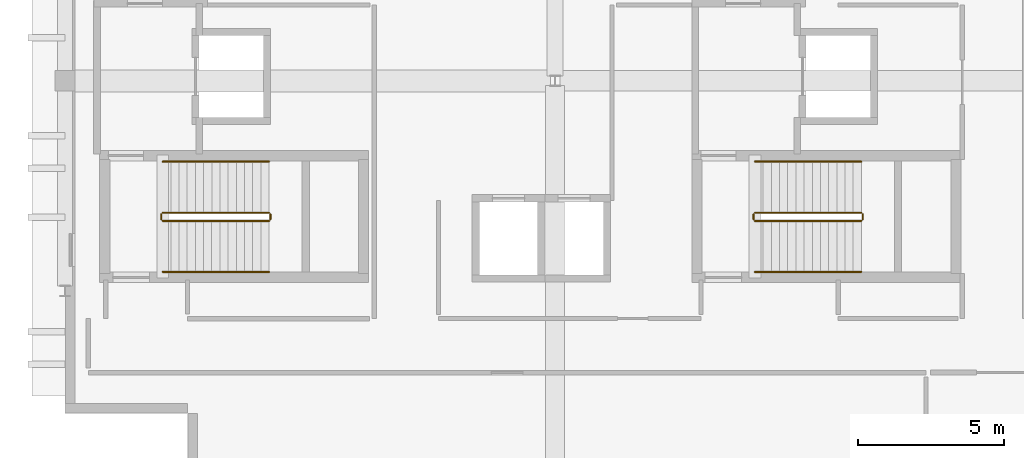
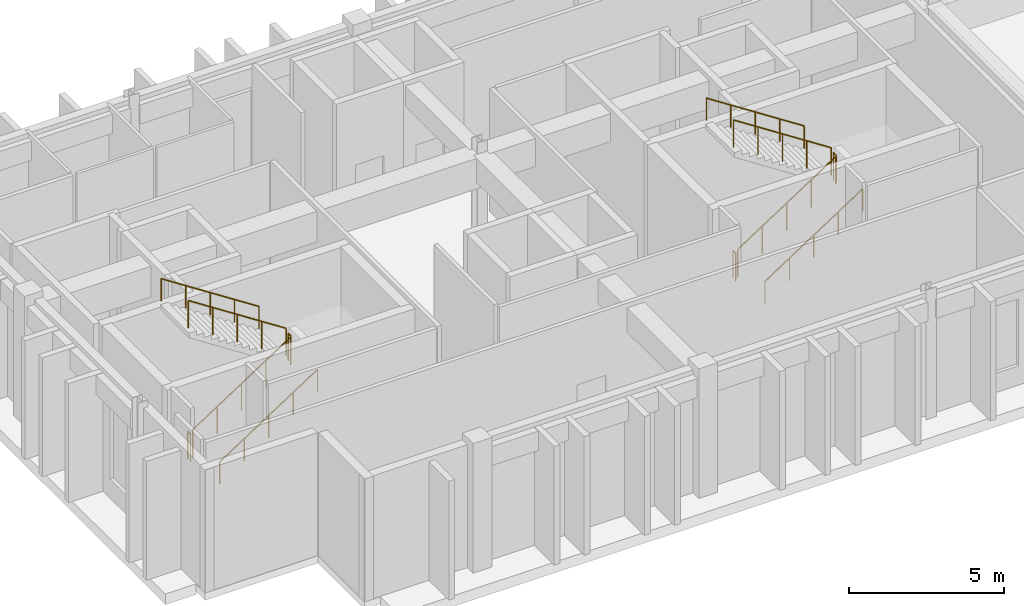
# One storey, part 8 of 9: 12 railings.
"""IFC4 building model written with IfcOpenShell, lengths in metres."""

from ifc_helpers import new_model, si_unit, direction, frame, origin, origin_2d, place, context, subcontext, project, spatial, circle, extrude, material, type_object, element, save


model = new_model("IFC4")

# Units and contexts
model_context = context("Model", 3, precision=1e-05, world=origin(), true_north=direction((0.0, 1.0)))
body_context = subcontext(model_context, "Body", "Model", "MODEL_VIEW")
ifc_project = project(units=[si_unit("LENGTHUNIT", "METRE"), si_unit("AREAUNIT", "SQUARE_METRE"), si_unit("VOLUMEUNIT", "CUBIC_METRE"), si_unit("PLANEANGLEUNIT", "RADIAN"), si_unit("MASSUNIT", "GRAM", prefix="KILO")], contexts=[model_context])

# Site, building, storey
site_placement = place(None, origin())
site = spatial("IfcSite", under=ifc_project, at=site_placement, CompositionType="ELEMENT")
building_placement = place(site_placement, origin())
building = spatial("IfcBuilding", under=site, at=building_placement, Name="Quendrovan Civic Courthouse", CompositionType="ELEMENT")
storey_placement = place(building_placement, frame((0.0, 0.0, 30.60009765625)))
storey = spatial("IfcBuildingStorey", under=building, at=storey_placement, Name="L07", CompositionType="ELEMENT", Elevation=30.60009765625)

# Railings
ifc_material_1 = material(Name="Painted galvanized steel", Category="steel")
railing_type_1 = type_object("IfcRailingType", Name="RL-STR-GUARD1100", PredefinedType="GUARDRAIL", material=ifc_material_1)
railing_1_placement = place(storey_placement, frame((36.949951171875, 97.199951171875, 0.18212890625)))
element("IfcRailing", 1, at=railing_1_placement, inside=storey, type_object=railing_type_1, Name="L07 ST1 stair guard 1", PredefinedType="GUARDRAIL", context=body_context, shape_type="SweptSolid", body=[
    extrude(circle(Radius=0.02392578125, at=origin_2d()), frame((0.0, 0.0, 1.076171875), z_axis=(0.838276589377, 0.0, 0.545245228959), x_axis=(0.0, 1.0, 0.0)), (0.0, 0.0, 1.0), 4.34228515625),
    extrude(circle(Radius=0.02099609375, at=origin_2d()), origin(), (0.0, 0.0, 1.0), 1.052001953125),
    extrude(circle(Radius=0.02099609375, at=origin_2d()), frame((0.91015625, 0.0, 0.591796875)), (0.0, 0.0, 1.0), 1.052001953125),
    extrude(circle(Radius=0.02099609375, at=origin_2d()), frame((1.820068359375, 0.0, 1.183837890625)), (0.0, 0.0, 1.0), 1.052001953125),
    extrude(circle(Radius=0.02099609375, at=origin_2d()), frame((2.72998046875, 0.0, 1.77587890625)), (0.0, 0.0, 1.0), 1.052001953125),
    extrude(circle(Radius=0.02099609375, at=origin_2d()), frame((3.64013671875, 0.0, 2.36767578125)), (0.0, 0.0, 1.0), 1.052001953125),
])
railing_2_placement = place(storey_placement, frame((40.639892578125, 97.25, 2.5498046875)))
element("IfcRailing", 2, at=railing_2_placement, inside=storey, type_object=railing_type_1, Name="L07 ST1 stair guard 2", PredefinedType="GUARDRAIL", context=body_context, shape_type="SweptSolid", body=[
    extrude(circle(Radius=0.02392578125, at=origin_2d()), frame((0.0, 0.0, 1.076171875), z_axis=(0.0, 1.0, 0.0), x_axis=(-1.0, 0.0, 0.0)), (0.0, 0.0, 1.0), 0.179931640625),
    extrude(circle(Radius=0.02099609375, at=origin_2d()), origin(), (0.0, 0.0, 1.0), 1.052001953125),
    extrude(circle(Radius=0.02099609375, at=origin_2d()), frame((0.0, 0.179931640625, 0.0)), (0.0, 0.0, 1.0), 1.052001953125),
])
railing_3_placement = place(storey_placement, frame((40.590087890625, 97.47998046875, 2.73193359375)))
element("IfcRailing", 3, at=railing_3_placement, inside=storey, type_object=railing_type_1, Name="L07 ST1 stair guard 3", PredefinedType="GUARDRAIL", context=body_context, shape_type="SweptSolid", body=[
    extrude(circle(Radius=0.02392578125, at=origin_2d()), frame((0.0, 0.0, 1.076171875), z_axis=(-0.83825089185, 0.0, 0.545284735081), x_axis=(0.0, -1.0, 0.0)), (0.0, 0.0, 1.0), 4.342529296875),
    extrude(circle(Radius=0.02099609375, at=origin_2d()), origin(), (0.0, 0.0, 1.0), 1.052001953125),
    extrude(circle(Radius=0.02099609375, at=origin_2d()), frame((-0.91015625, 0.0, 0.592041015625)), (0.0, 0.0, 1.0), 1.052001953125),
    extrude(circle(Radius=0.02099609375, at=origin_2d()), frame((-1.820068359375, 0.0, 1.18408203125)), (0.0, 0.0, 1.0), 1.052001953125),
    extrude(circle(Radius=0.02099609375, at=origin_2d()), frame((-2.72998046875, 0.0, 1.77587890625)), (0.0, 0.0, 1.0), 1.052001953125),
    extrude(circle(Radius=0.02099609375, at=origin_2d()), frame((-3.64013671875, 0.0, 2.367919921875)), (0.0, 0.0, 1.0), 1.052001953125),
])
railing_4_placement = place(storey_placement, frame((36.89990234375, 97.25, 0.0)))
element("IfcRailing", 4, at=railing_4_placement, inside=storey, type_object=railing_type_1, Name="L07 ST1 stair guard 4", PredefinedType="GUARDRAIL", context=body_context, shape_type="SweptSolid", body=[
    extrude(circle(Radius=0.02392578125, at=origin_2d()), frame((0.0, 0.0, 1.076171875), z_axis=(0.0, 1.0, 0.0), x_axis=(-1.0, 0.0, 0.0)), (0.0, 0.0, 1.0), 0.179931640625),
    extrude(circle(Radius=0.02099609375, at=origin_2d()), origin(), (0.0, 0.0, 1.0), 1.052001953125),
    extrude(circle(Radius=0.02099609375, at=origin_2d()), frame((0.0, 0.179931640625, 0.0)), (0.0, 0.0, 1.0), 1.052001953125),
])
railing_5_placement = place(storey_placement, frame((57.25, 97.199951171875, 0.18212890625)))
element("IfcRailing", 5, at=railing_5_placement, inside=storey, type_object=railing_type_1, Name="L07 ST2 stair guard 1", PredefinedType="GUARDRAIL", context=body_context, shape_type="SweptSolid", body=[
    extrude(circle(Radius=0.02392578125, at=origin_2d()), frame((0.0, 0.0, 1.076171875), z_axis=(0.838259873693, 0.0, 0.545270927297), x_axis=(0.0, 1.0, 0.0)), (0.0, 0.0, 1.0), 4.34228515625),
    extrude(circle(Radius=0.02099609375, at=origin_2d()), origin(), (0.0, 0.0, 1.0), 1.052001953125),
    extrude(circle(Radius=0.02099609375, at=origin_2d()), frame((0.909912109375, 0.0, 0.591796875)), (0.0, 0.0, 1.0), 1.052001953125),
    extrude(circle(Radius=0.02099609375, at=origin_2d()), frame((1.81982421875, 0.0, 1.183837890625)), (0.0, 0.0, 1.0), 1.052001953125),
    extrude(circle(Radius=0.02099609375, at=origin_2d()), frame((2.72998046875, 0.0, 1.77587890625)), (0.0, 0.0, 1.0), 1.052001953125),
    extrude(circle(Radius=0.02099609375, at=origin_2d()), frame((3.639892578125, 0.0, 2.36767578125)), (0.0, 0.0, 1.0), 1.052001953125),
])
railing_6_placement = place(storey_placement, frame((60.93994140625, 97.25, 2.5498046875)))
element("IfcRailing", 6, at=railing_6_placement, inside=storey, type_object=railing_type_1, Name="L07 ST2 stair guard 2", PredefinedType="GUARDRAIL", context=body_context, shape_type="SweptSolid", body=[
    extrude(circle(Radius=0.02392578125, at=origin_2d()), frame((0.0, 0.0, 1.076171875), z_axis=(0.0, 1.0, 0.0), x_axis=(-1.0, 0.0, 0.0)), (0.0, 0.0, 1.0), 0.179931640625),
    extrude(circle(Radius=0.02099609375, at=origin_2d()), origin(), (0.0, 0.0, 1.0), 1.052001953125),
    extrude(circle(Radius=0.02099609375, at=origin_2d()), frame((0.0, 0.179931640625, 0.0)), (0.0, 0.0, 1.0), 1.052001953125),
])
railing_7_placement = place(storey_placement, frame((60.889892578125, 97.47998046875, 2.73193359375)))
element("IfcRailing", 7, at=railing_7_placement, inside=storey, type_object=railing_type_1, Name="L07 ST2 stair guard 3", PredefinedType="GUARDRAIL", context=body_context, shape_type="SweptSolid", body=[
    extrude(circle(Radius=0.02392578125, at=origin_2d()), frame((0.0, 0.0, 1.076171875), z_axis=(-0.838234174257, 0.0, 0.545310433706), x_axis=(0.0, -1.0, 0.0)), (0.0, 0.0, 1.0), 4.34228515625),
    extrude(circle(Radius=0.02099609375, at=origin_2d()), origin(), (0.0, 0.0, 1.0), 1.052001953125),
    extrude(circle(Radius=0.02099609375, at=origin_2d()), frame((-0.909912109375, 0.0, 0.592041015625)), (0.0, 0.0, 1.0), 1.052001953125),
    extrude(circle(Radius=0.02099609375, at=origin_2d()), frame((-1.81982421875, 0.0, 1.18408203125)), (0.0, 0.0, 1.0), 1.052001953125),
    extrude(circle(Radius=0.02099609375, at=origin_2d()), frame((-2.72998046875, 0.0, 1.77587890625)), (0.0, 0.0, 1.0), 1.052001953125),
    extrude(circle(Radius=0.02099609375, at=origin_2d()), frame((-3.639892578125, 0.0, 2.367919921875)), (0.0, 0.0, 1.0), 1.052001953125),
])
railing_8_placement = place(storey_placement, frame((57.199951171875, 97.25, 0.0)))
element("IfcRailing", 8, at=railing_8_placement, inside=storey, type_object=railing_type_1, Name="L07 ST2 stair guard 4", PredefinedType="GUARDRAIL", context=body_context, shape_type="SweptSolid", body=[
    extrude(circle(Radius=0.02392578125, at=origin_2d()), frame((0.0, 0.0, 1.076171875), z_axis=(0.0, 1.0, 0.0), x_axis=(-1.0, 0.0, 0.0)), (0.0, 0.0, 1.0), 0.179931640625),
    extrude(circle(Radius=0.02099609375, at=origin_2d()), origin(), (0.0, 0.0, 1.0), 1.052001953125),
    extrude(circle(Radius=0.02099609375, at=origin_2d()), frame((0.0, 0.179931640625, 0.0)), (0.0, 0.0, 1.0), 1.052001953125),
])
ifc_material_2 = material(Name="Bronze anodised aluminium", Category="aluminium")
railing_type_2 = type_object("IfcRailingType", Name="RL-STR-HAND900", PredefinedType="HANDRAIL", material=ifc_material_2)
railing_9_placement = place(storey_placement, frame((36.949951171875, 95.449951171875, 0.18212890625)))
element("IfcRailing", 9, at=railing_9_placement, inside=storey, type_object=railing_type_2, Name="L07 ST1 stair handrail 1", PredefinedType="HANDRAIL", context=body_context, shape_type="SweptSolid", body=[
    extrude(circle(Radius=0.02392578125, at=origin_2d()), frame((0.0, 0.0, 0.8759765625), z_axis=(0.838276589377, 0.0, 0.545245228959), x_axis=(0.0, 1.0, 0.0)), (0.0, 0.0, 1.0), 4.34228515625),
    extrude(circle(Radius=0.02099609375, at=origin_2d()), origin(), (0.0, 0.0, 1.0), 0.851806640625),
    extrude(circle(Radius=0.02099609375, at=origin_2d()), frame((0.91015625, 0.0, 0.591796875)), (0.0, 0.0, 1.0), 0.851806640625),
    extrude(circle(Radius=0.02099609375, at=origin_2d()), frame((1.820068359375, 0.0, 1.183837890625)), (0.0, 0.0, 1.0), 0.851806640625),
    extrude(circle(Radius=0.02099609375, at=origin_2d()), frame((2.72998046875, 0.0, 1.77587890625)), (0.0, 0.0, 1.0), 0.851806640625),
    extrude(circle(Radius=0.02099609375, at=origin_2d()), frame((3.64013671875, 0.0, 2.36767578125)), (0.0, 0.0, 1.0), 0.851806640625),
])
railing_10_placement = place(storey_placement, frame((40.590087890625, 99.22998046875, 2.73193359375)))
element("IfcRailing", 10, at=railing_10_placement, inside=storey, type_object=railing_type_2, Name="L07 ST1 stair handrail 2", PredefinedType="HANDRAIL", context=body_context, shape_type="SweptSolid", body=[
    extrude(circle(Radius=0.02392578125, at=origin_2d()), frame((0.0, 0.0, 0.8759765625), z_axis=(-0.83825089185, 0.0, 0.545284735081), x_axis=(0.0, -1.0, 0.0)), (0.0, 0.0, 1.0), 4.342529296875),
    extrude(circle(Radius=0.02099609375, at=origin_2d()), origin(), (0.0, 0.0, 1.0), 0.851806640625),
    extrude(circle(Radius=0.02099609375, at=origin_2d()), frame((-0.91015625, 0.0, 0.592041015625)), (0.0, 0.0, 1.0), 0.851806640625),
    extrude(circle(Radius=0.02099609375, at=origin_2d()), frame((-1.820068359375, 0.0, 1.18408203125)), (0.0, 0.0, 1.0), 0.851806640625),
    extrude(circle(Radius=0.02099609375, at=origin_2d()), frame((-2.72998046875, 0.0, 1.77587890625)), (0.0, 0.0, 1.0), 0.851806640625),
    extrude(circle(Radius=0.02099609375, at=origin_2d()), frame((-3.64013671875, 0.0, 2.367919921875)), (0.0, 0.0, 1.0), 0.851806640625),
])
railing_11_placement = place(storey_placement, frame((57.25, 95.449951171875, 0.18212890625)))
element("IfcRailing", 11, at=railing_11_placement, inside=storey, type_object=railing_type_2, Name="L07 ST2 stair handrail 1", PredefinedType="HANDRAIL", context=body_context, shape_type="SweptSolid", body=[
    extrude(circle(Radius=0.02392578125, at=origin_2d()), frame((0.0, 0.0, 0.8759765625), z_axis=(0.838259873693, 0.0, 0.545270927297), x_axis=(0.0, 1.0, 0.0)), (0.0, 0.0, 1.0), 4.34228515625),
    extrude(circle(Radius=0.02099609375, at=origin_2d()), origin(), (0.0, 0.0, 1.0), 0.851806640625),
    extrude(circle(Radius=0.02099609375, at=origin_2d()), frame((0.909912109375, 0.0, 0.591796875)), (0.0, 0.0, 1.0), 0.851806640625),
    extrude(circle(Radius=0.02099609375, at=origin_2d()), frame((1.81982421875, 0.0, 1.183837890625)), (0.0, 0.0, 1.0), 0.851806640625),
    extrude(circle(Radius=0.02099609375, at=origin_2d()), frame((2.72998046875, 0.0, 1.77587890625)), (0.0, 0.0, 1.0), 0.851806640625),
    extrude(circle(Radius=0.02099609375, at=origin_2d()), frame((3.639892578125, 0.0, 2.36767578125)), (0.0, 0.0, 1.0), 0.851806640625),
])
railing_12_placement = place(storey_placement, frame((60.889892578125, 99.22998046875, 2.73193359375)))
element("IfcRailing", 12, at=railing_12_placement, inside=storey, type_object=railing_type_2, Name="L07 ST2 stair handrail 2", PredefinedType="HANDRAIL", context=body_context, shape_type="SweptSolid", body=[
    extrude(circle(Radius=0.02392578125, at=origin_2d()), frame((0.0, 0.0, 0.8759765625), z_axis=(-0.838234174257, 0.0, 0.545310433706), x_axis=(0.0, -1.0, 0.0)), (0.0, 0.0, 1.0), 4.34228515625),
    extrude(circle(Radius=0.02099609375, at=origin_2d()), origin(), (0.0, 0.0, 1.0), 0.851806640625),
    extrude(circle(Radius=0.02099609375, at=origin_2d()), frame((-0.909912109375, 0.0, 0.592041015625)), (0.0, 0.0, 1.0), 0.851806640625),
    extrude(circle(Radius=0.02099609375, at=origin_2d()), frame((-1.81982421875, 0.0, 1.18408203125)), (0.0, 0.0, 1.0), 0.851806640625),
    extrude(circle(Radius=0.02099609375, at=origin_2d()), frame((-2.72998046875, 0.0, 1.77587890625)), (0.0, 0.0, 1.0), 0.851806640625),
    extrude(circle(Radius=0.02099609375, at=origin_2d()), frame((-3.639892578125, 0.0, 2.367919921875)), (0.0, 0.0, 1.0), 0.851806640625),
])

save(model, "model.ifc")
